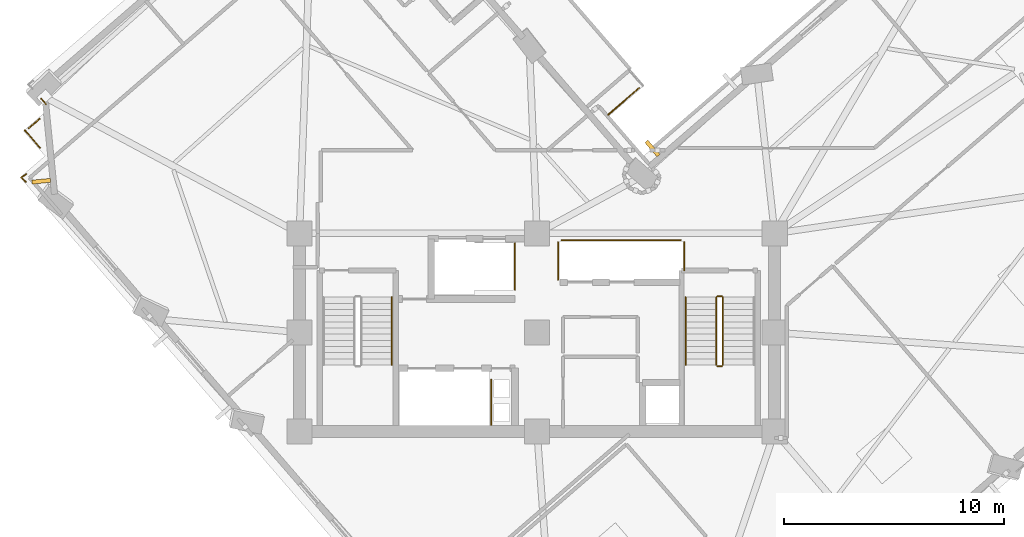
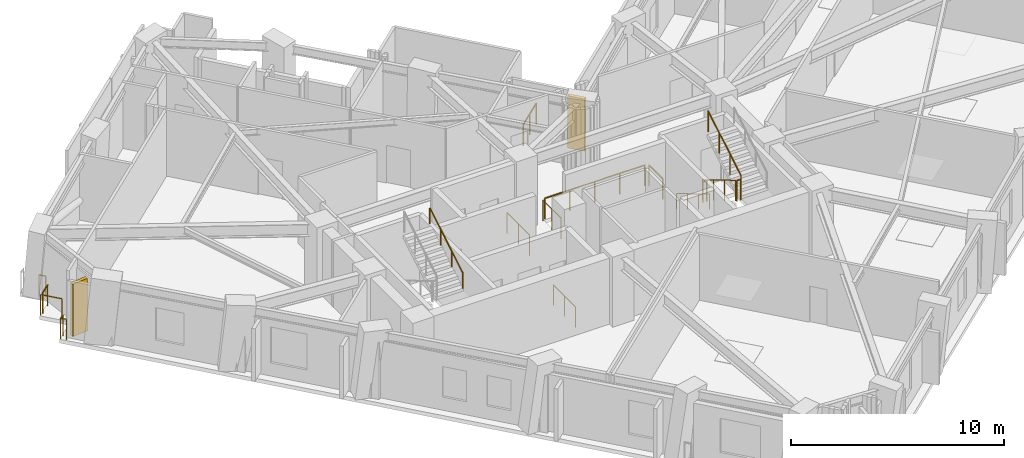
# One storey, part 11 of 14: 16 railings, 2 shading devices.
"""IFC4 building model written with IfcOpenShell, lengths in metres."""

from ifc_helpers import new_model, si_unit, direction, frame, origin, origin_2d, place, context, subcontext, project, spatial, rectangle, circle, extrude, material, layer, layer_set, type_object, element, save


model = new_model("IFC4")

# Units and contexts
model_context = context("Model", 3, precision=1e-05, world=origin(), true_north=direction((0.0, 1.0)))
body_context = subcontext(model_context, "Body", "Model", "MODEL_VIEW")
ifc_project = project(units=[si_unit("LENGTHUNIT", "METRE"), si_unit("AREAUNIT", "SQUARE_METRE"), si_unit("VOLUMEUNIT", "CUBIC_METRE"), si_unit("PLANEANGLEUNIT", "RADIAN"), si_unit("MASSUNIT", "GRAM", prefix="KILO")], contexts=[model_context])

# Site, building, storey
site_placement = place(None, origin())
site = spatial("IfcSite", under=ifc_project, at=site_placement, CompositionType="ELEMENT")
building_placement = place(site_placement, origin())
building = spatial("IfcBuilding", under=site, at=building_placement, Name="Gaonmaruhae Medical Tower", CompositionType="ELEMENT")
storey_placement = place(building_placement, frame((0.0, 0.0, 197.800048828125)))
storey = spatial("IfcBuildingStorey", under=building, at=storey_placement, Name="L47", CompositionType="ELEMENT", Elevation=197.800048828125)

# Railings
ifc_material_1 = material(Name="Stainless steel 316L and laminated safety glass", Category="steel")
ifc_layer = layer(ifc_material_1, 0.080078125)
ifc_layer_set = layer_set([ifc_layer], Name="Stainless steel 316L and laminated safety glass")
railing_type_1 = type_object("IfcRailingType", Name="GD-120 Outdoor Terrace Safety Glass & Steel Balustrade", PredefinedType="BALUSTRADE", material=ifc_layer_set)
railing_1_placement = place(storey_placement, frame((2.213623046875, 20.689697265625, 0.0)))
element("IfcRailing", 1, at=railing_1_placement, inside=storey, type_object=railing_type_1, Name="L47 Perimeter Slab Edge Safety Balustrade 06", PredefinedType="BALUSTRADE", context=body_context, shape_type="SweptSolid", body=[
    extrude(circle(Radius=0.02392578125, at=origin_2d()), frame((0.0, 0.0, 1.17578125), z_axis=(-0.654123442603, 0.756387811799, 0.0), x_axis=(-0.756387811799, -0.654123442603, 0.0)), (0.0, 0.0, 1.0), 1.06005859375),
    extrude(circle(Radius=0.02099609375, at=origin_2d()), origin(), (0.0, 0.0, 1.0), 1.15185546875),
    extrude(circle(Radius=0.02099609375, at=origin_2d()), frame((-0.693359375, 0.8017578125, 0.0)), (0.0, 0.0, 1.0), 1.15185546875),
])
railing_2_placement = place(storey_placement, frame((1.691650390625, 21.573486328125, 0.0)))
element("IfcRailing", 2, at=railing_2_placement, inside=storey, type_object=railing_type_1, Name="L47 Perimeter Slab Edge Safety Balustrade 07", PredefinedType="BALUSTRADE", context=body_context, shape_type="SweptSolid", body=[
    extrude(circle(Radius=0.02392578125, at=origin_2d()), frame((0.0, 0.0, 1.17578125), z_axis=(0.756481879955, 0.654014652206, 0.0), x_axis=(-0.654014652206, 0.756481879955, 0.0)), (0.0, 0.0, 1.0), 0.659912109375),
    extrude(circle(Radius=0.02099609375, at=origin_2d()), origin(), (0.0, 0.0, 1.0), 1.15185546875),
    extrude(circle(Radius=0.02099609375, at=origin_2d()), frame((0.499267578125, 0.431640625, 0.0)), (0.0, 0.0, 1.0), 1.15185546875),
])
railing_3_placement = place(storey_placement, frame((2.476318359375, 22.67919921875, 0.0)))
element("IfcRailing", 3, at=railing_3_placement, inside=storey, type_object=railing_type_1, Name="L47 Perimeter Slab Edge Safety Balustrade 08", PredefinedType="BALUSTRADE", context=body_context, shape_type="SweptSolid", body=[
    extrude(circle(Radius=0.02392578125, at=origin_2d()), frame((0.0, 0.0, 1.17578125), z_axis=(-0.654475322426, 0.756083363351, 0.0), x_axis=(-0.756083363351, -0.654475322426, 0.0)), (0.0, 0.0, 1.0), 0.32666015625),
    extrude(circle(Radius=0.02099609375, at=origin_2d()), origin(), (0.0, 0.0, 1.0), 1.15185546875),
    extrude(circle(Radius=0.02099609375, at=origin_2d()), frame((-0.2138671875, 0.2470703125, 0.0)), (0.0, 0.0, 1.0), 1.15185546875),
])
railing_4_placement = place(storey_placement, frame((29.437744140625, 23.40869140625, 0.0)))
element("IfcRailing", 4, at=railing_4_placement, inside=storey, type_object=railing_type_1, Name="L47 Perimeter Slab Edge Safety Balustrade 10", PredefinedType="BALUSTRADE", context=body_context, shape_type="SweptSolid", body=[
    extrude(circle(Radius=0.02392578125, at=origin_2d()), frame((0.0, 0.0, 1.17578125), z_axis=(-0.756393133435, -0.654117288942, 0.0), x_axis=(0.654117288942, -0.756393133435, 0.0)), (0.0, 0.0, 1.0), 1.852294921875),
    extrude(circle(Radius=0.02099609375, at=origin_2d()), origin(), (0.0, 0.0, 1.0), 1.15185546875),
    extrude(circle(Radius=0.02099609375, at=origin_2d()), frame((-0.70068359375, -0.60595703125, 0.0)), (0.0, 0.0, 1.0), 1.15185546875),
    extrude(circle(Radius=0.02099609375, at=origin_2d()), frame((-1.401123046875, -1.211669921875, 0.0)), (0.0, 0.0, 1.0), 1.15185546875),
])
railing_5_placement = place(storey_placement, frame((1.56298828125, 19.148681640625, 0.0)))
element("IfcRailing", 5, at=railing_5_placement, inside=storey, type_object=railing_type_1, Name="L47 Perimeter Corner Safety Balustrade 12", PredefinedType="BALUSTRADE", context=body_context, shape_type="SweptSolid", body=[
    extrude(circle(Radius=0.02392578125, at=origin_2d()), frame((0.0, 0.0, 1.17578125), z_axis=(-0.741515633057, 0.670935590002, 0.0), x_axis=(-0.670935590002, -0.741515633057, 0.0)), (0.0, 0.0, 1.0), 0.287109375),
    extrude(circle(Radius=0.02392578125, at=origin_2d()), frame((-0.212890625, 0.192626953125, 1.17578125), z_axis=(0.830344853454, 0.557249876037, 0.0), x_axis=(-0.557249876037, 0.830344853454, 0.0)), (0.0, 0.0, 1.0), 0.286865234375),
    extrude(circle(Radius=0.02099609375, at=origin_2d()), origin(), (0.0, 0.0, 1.0), 1.15185546875),
    extrude(circle(Radius=0.02099609375, at=origin_2d()), frame((-0.212890625, 0.192626953125, 0.0)), (0.0, 0.0, 1.0), 1.15185546875),
    extrude(circle(Radius=0.02099609375, at=origin_2d()), frame((0.025390625, 0.3525390625, 0.0)), (0.0, 0.0, 1.0), 1.15185546875),
])
ifc_material_2 = material(Name="Stainless steel 304 handrail", Category="steel")
railing_type_2 = type_object("IfcRailingType", Name="HR-092 Continuous Stainless Steel Stair Handrail", PredefinedType="HANDRAIL", material=ifc_material_2)
railing_6_placement = place(storey_placement, frame((18.199951171875, 10.820068359375, 2.16650390625)))
element("IfcRailing", 6, at=railing_6_placement, inside=storey, type_object=railing_type_2, Name="L47 ST-01 stair handrail 2", PredefinedType="HANDRAIL", context=body_context, shape_type="SweptSolid", body=[
    extrude(circle(Radius=0.02392578125, at=origin_2d()), frame((0.0, 0.0, 0.8759765625), z_axis=(0.0, 0.859260807169, 0.511537745687), x_axis=(-1.0, 0.0, 0.0)), (0.0, 0.0, 1.0), 3.584228515625),
    extrude(circle(Radius=0.02099609375, at=origin_2d()), origin(), (0.0, 0.0, 1.0), 0.851806640625),
    extrude(circle(Radius=0.02099609375, at=origin_2d()), frame((0.0, 1.026611328125, 0.611083984375)), (0.0, 0.0, 1.0), 0.851806640625),
    extrude(circle(Radius=0.02099609375, at=origin_2d()), frame((0.0, 2.05322265625, 1.222412109375)), (0.0, 0.0, 1.0), 0.851806640625),
    extrude(circle(Radius=0.02099609375, at=origin_2d()), frame((0.0, 3.079833984375, 1.83349609375)), (0.0, 0.0, 1.0), 0.851806640625),
])
railing_7_placement = place(storey_placement, frame((31.550048828125, 13.89990234375, 0.16650390625)))
element("IfcRailing", 7, at=railing_7_placement, inside=storey, type_object=railing_type_2, Name="L47 ST-02 stair handrail 1", PredefinedType="HANDRAIL", context=body_context, shape_type="SweptSolid", body=[
    extrude(circle(Radius=0.02392578125, at=origin_2d()), frame((0.0, 0.0, 0.8759765625), z_axis=(0.0, -0.859260807169, 0.511537745687), x_axis=(1.0, 0.0, 0.0)), (0.0, 0.0, 1.0), 3.584228515625),
    extrude(circle(Radius=0.02099609375, at=origin_2d()), origin(), (0.0, 0.0, 1.0), 0.851806640625),
    extrude(circle(Radius=0.02099609375, at=origin_2d()), frame((0.0, -1.026611328125, 0.611083984375)), (0.0, 0.0, 1.0), 0.851806640625),
    extrude(circle(Radius=0.02099609375, at=origin_2d()), frame((0.0, -2.05322265625, 1.222412109375)), (0.0, 0.0, 1.0), 0.851806640625),
    extrude(circle(Radius=0.02099609375, at=origin_2d()), frame((0.0, -3.079833984375, 1.83349609375)), (0.0, 0.0, 1.0), 0.851806640625),
])

# Shading devices
ifc_material_3 = material(Name="Pigmented coral precast concrete C45/55", Category="concrete")
shading_device_type = type_object("IfcShadingDeviceType", Name="SD-FIN1 Tower Vertical Coral Precast Shading Fin", PredefinedType="USERDEFINED", material=ifc_material_3)
shading_device_1_placement = place(storey_placement, frame((30.04541015625, 20.662109375, 0.0400390625), z_axis=(0.0, 0.0, 1.0), x_axis=(0.756424550435, 0.654080957909, 0.0)))
element("IfcShadingDevice", 8, at=shading_device_1_placement, inside=storey, type_object=shading_device_type, Name="L47 Vertical Coral Precast Shading Fin EN03", ObjectType="FIN", PredefinedType="USERDEFINED", context=body_context, shape_type="SweptSolid", body=[
    extrude(rectangle(XDim=0.179931640625, YDim=0.85009765625, at=origin_2d()), origin(), (0.0, 0.0, 1.0), 2.985107421875),
])
shading_device_2_placement = place(storey_placement, frame((2.2646484375, 19.17236328125, 0.132568359375), z_axis=(0.0, 0.0, 1.0), x_axis=(-0.098156093375, 0.995171031197, 0.0)))
element("IfcShadingDevice", 9, at=shading_device_2_placement, inside=storey, type_object=shading_device_type, Name="L47 Vertical Coral Precast Shading Fin N03", ObjectType="FIN", PredefinedType="USERDEFINED", context=body_context, shape_type="SweptSolid", body=[
    extrude(rectangle(XDim=0.179931640625, YDim=0.85009765625, at=origin_2d()), origin(), (0.0, 0.0, 1.0), 3.0),
])

# Railings
ifc_material_4 = material(Name="Stainless steel 304 balustrade", Category="steel")
railing_type_3 = type_object("IfcRailingType", Name="SG-112 Stair Well & Ramp Void Safety Balustrade", PredefinedType="BALUSTRADE", material=ifc_material_4)
railing_8_placement = place(storey_placement, frame((32.949951171875, 13.89990234375, 0.16650390625)))
element("IfcRailing", 10, at=railing_8_placement, inside=storey, type_object=railing_type_3, Name="L47 ST-02 stair guard 1", PredefinedType="BALUSTRADE", context=body_context, shape_type="SweptSolid", body=[
    extrude(circle(Radius=0.02392578125, at=origin_2d()), frame((0.0, 0.0, 1.17578125), z_axis=(0.0, -0.859260807169, 0.511537745687), x_axis=(1.0, 0.0, 0.0)), (0.0, 0.0, 1.0), 3.584228515625),
    extrude(circle(Radius=0.02099609375, at=origin_2d()), origin(), (0.0, 0.0, 1.0), 1.15185546875),
    extrude(circle(Radius=0.02099609375, at=origin_2d()), frame((0.0, -1.026611328125, 0.611083984375)), (0.0, 0.0, 1.0), 1.15185546875),
    extrude(circle(Radius=0.02099609375, at=origin_2d()), frame((0.0, -2.05322265625, 1.222412109375)), (0.0, 0.0, 1.0), 1.15185546875),
    extrude(circle(Radius=0.02099609375, at=origin_2d()), frame((0.0, -3.079833984375, 1.83349609375)), (0.0, 0.0, 1.0), 1.15185546875),
])
railing_9_placement = place(storey_placement, frame((33.0, 10.77001953125, 2.0)))
element("IfcRailing", 11, at=railing_9_placement, inside=storey, type_object=railing_type_3, Name="L47 ST-02 stair guard 2", PredefinedType="BALUSTRADE", context=body_context, shape_type="SweptSolid", body=[
    extrude(circle(Radius=0.02392578125, at=origin_2d()), frame((0.0, 0.0, 1.17578125), z_axis=(1.0, 0.0, 0.0), x_axis=(0.0, 1.0, 0.0)), (0.0, 0.0, 1.0), 0.199951171875),
    extrude(circle(Radius=0.02099609375, at=origin_2d()), origin(), (0.0, 0.0, 1.0), 1.15185546875),
    extrude(circle(Radius=0.02099609375, at=origin_2d()), frame((0.199951171875, 0.0, 0.0)), (0.0, 0.0, 1.0), 1.15185546875),
])
railing_10_placement = place(storey_placement, frame((33.25, 10.820068359375, 2.16650390625)))
element("IfcRailing", 12, at=railing_10_placement, inside=storey, type_object=railing_type_3, Name="L47 ST-02 stair guard 3", PredefinedType="BALUSTRADE", context=body_context, shape_type="SweptSolid", body=[
    extrude(circle(Radius=0.02392578125, at=origin_2d()), frame((0.0, 0.0, 1.17578125), z_axis=(0.0, 0.859260807169, 0.511537745687), x_axis=(-1.0, 0.0, 0.0)), (0.0, 0.0, 1.0), 3.584228515625),
    extrude(circle(Radius=0.02099609375, at=origin_2d()), origin(), (0.0, 0.0, 1.0), 1.15185546875),
    extrude(circle(Radius=0.02099609375, at=origin_2d()), frame((0.0, 1.026611328125, 0.611083984375)), (0.0, 0.0, 1.0), 1.15185546875),
    extrude(circle(Radius=0.02099609375, at=origin_2d()), frame((0.0, 2.05322265625, 1.222412109375)), (0.0, 0.0, 1.0), 1.15185546875),
    extrude(circle(Radius=0.02099609375, at=origin_2d()), frame((0.0, 3.079833984375, 1.83349609375)), (0.0, 0.0, 1.0), 1.15185546875),
])
railing_11_placement = place(storey_placement, frame((33.0, 13.949951171875, 0.0)))
element("IfcRailing", 13, at=railing_11_placement, inside=storey, type_object=railing_type_3, Name="L47 ST-02 stair guard 4", PredefinedType="BALUSTRADE", context=body_context, shape_type="SweptSolid", body=[
    extrude(circle(Radius=0.02392578125, at=origin_2d()), frame((0.0, 0.0, 1.17578125), z_axis=(1.0, 0.0, 0.0), x_axis=(0.0, 1.0, 0.0)), (0.0, 0.0, 1.0), 0.199951171875),
    extrude(circle(Radius=0.02099609375, at=origin_2d()), origin(), (0.0, 0.0, 1.0), 1.15185546875),
    extrude(circle(Radius=0.02099609375, at=origin_2d()), frame((0.199951171875, 0.0, 0.0)), (0.0, 0.0, 1.0), 1.15185546875),
])
railing_12_placement = place(storey_placement, frame((22.719970703125, 10.159912109375, 0.0)))
element("IfcRailing", 14, at=railing_12_placement, inside=storey, type_object=railing_type_3, Name="L47 Shaft Edge Safety Guard 14", PredefinedType="BALUSTRADE", context=body_context, shape_type="SweptSolid", body=[
    extrude(circle(Radius=0.02392578125, at=origin_2d()), frame((0.0, 0.0, 1.17578125), z_axis=(0.0, -1.0, 0.0), x_axis=(1.0, 0.0, 0.0)), (0.0, 0.0, 1.0), 2.06494140625),
    extrude(circle(Radius=0.02099609375, at=origin_2d()), origin(), (0.0, 0.0, 1.0), 1.15185546875),
    extrude(circle(Radius=0.02099609375, at=origin_2d()), frame((0.0, -1.032470703125, 0.0)), (0.0, 0.0, 1.0), 1.15185546875),
    extrude(circle(Radius=0.02099609375, at=origin_2d()), frame((0.0, -2.06494140625, 0.0)), (0.0, 0.0, 1.0), 1.15185546875),
])
railing_13_placement = place(storey_placement, frame((23.794921875, 16.35498046875, 0.0)))
element("IfcRailing", 15, at=railing_13_placement, inside=storey, type_object=railing_type_3, Name="L47 Shaft Edge Safety Guard 15", PredefinedType="BALUSTRADE", context=body_context, shape_type="SweptSolid", body=[
    extrude(circle(Radius=0.02392578125, at=origin_2d()), frame((0.0, 0.0, 1.17578125), z_axis=(0.0, -1.0, 0.0), x_axis=(1.0, 0.0, 0.0)), (0.0, 0.0, 1.0), 2.10986328125),
    extrude(circle(Radius=0.02099609375, at=origin_2d()), origin(), (0.0, 0.0, 1.0), 1.15185546875),
    extrude(circle(Radius=0.02099609375, at=origin_2d()), frame((0.0, -1.054931640625, 0.0)), (0.0, 0.0, 1.0), 1.15185546875),
    extrude(circle(Radius=0.02099609375, at=origin_2d()), frame((0.0, -2.10986328125, 0.0)), (0.0, 0.0, 1.0), 1.15185546875),
])
railing_14_placement = place(storey_placement, frame((31.4951171875, 16.405029296875, 0.0)))
element("IfcRailing", 16, at=railing_14_placement, inside=storey, type_object=railing_type_3, Name="L47 Shaft Edge Safety Guard 16", PredefinedType="BALUSTRADE", context=body_context, shape_type="SweptSolid", body=[
    extrude(circle(Radius=0.02392578125, at=origin_2d()), frame((0.0, 0.0, 1.17578125), z_axis=(0.0, -1.0, 0.0), x_axis=(1.0, 0.0, 0.0)), (0.0, 0.0, 1.0), 1.284912109375),
    extrude(circle(Radius=0.02099609375, at=origin_2d()), origin(), (0.0, 0.0, 1.0), 1.15185546875),
    extrude(circle(Radius=0.02099609375, at=origin_2d()), frame((0.0, -1.284912109375, 0.0)), (0.0, 0.0, 1.0), 1.15185546875),
])
railing_15_placement = place(storey_placement, frame((25.7548828125, 14.695068359375, 0.0)))
element("IfcRailing", 17, at=railing_15_placement, inside=storey, type_object=railing_type_3, Name="L47 Shaft Edge Safety Guard 17", PredefinedType="BALUSTRADE", context=body_context, shape_type="SweptSolid", body=[
    extrude(circle(Radius=0.02392578125, at=origin_2d()), frame((0.0, 0.0, 1.17578125), z_axis=(0.0, 1.0, 0.0), x_axis=(-1.0, 0.0, 0.0)), (0.0, 0.0, 1.0), 1.7099609375),
    extrude(circle(Radius=0.02099609375, at=origin_2d()), origin(), (0.0, 0.0, 1.0), 1.15185546875),
    extrude(circle(Radius=0.02099609375, at=origin_2d()), frame((0.0, 0.85498046875, 0.0)), (0.0, 0.0, 1.0), 1.15185546875),
    extrude(circle(Radius=0.02099609375, at=origin_2d()), frame((0.0, 1.7099609375, 0.0)), (0.0, 0.0, 1.0), 1.15185546875),
])
railing_16_placement = place(storey_placement, frame((25.919921875, 16.4951171875, 0.0)))
element("IfcRailing", 18, at=railing_16_placement, inside=storey, type_object=railing_type_3, Name="L47 Shaft Edge Safety Guard 18", PredefinedType="BALUSTRADE", context=body_context, shape_type="SweptSolid", body=[
    extrude(circle(Radius=0.02392578125, at=origin_2d()), frame((0.0, 0.0, 1.17578125), z_axis=(1.0, 0.0, 0.0), x_axis=(0.0, 1.0, 0.0)), (0.0, 0.0, 1.0), 5.41015625),
    extrude(circle(Radius=0.02099609375, at=origin_2d()), origin(), (0.0, 0.0, 1.0), 1.15185546875),
    extrude(circle(Radius=0.02099609375, at=origin_2d()), frame((1.3525390625, 0.0, 0.0)), (0.0, 0.0, 1.0), 1.15185546875),
    extrude(circle(Radius=0.02099609375, at=origin_2d()), frame((2.705078125, 0.0, 0.0)), (0.0, 0.0, 1.0), 1.15185546875),
    extrude(circle(Radius=0.02099609375, at=origin_2d()), frame((4.0576171875, 0.0, 0.0)), (0.0, 0.0, 1.0), 1.15185546875),
    extrude(circle(Radius=0.02099609375, at=origin_2d()), frame((5.41015625, 0.0, 0.0)), (0.0, 0.0, 1.0), 1.15185546875),
])

save(model, "model.ifc")
